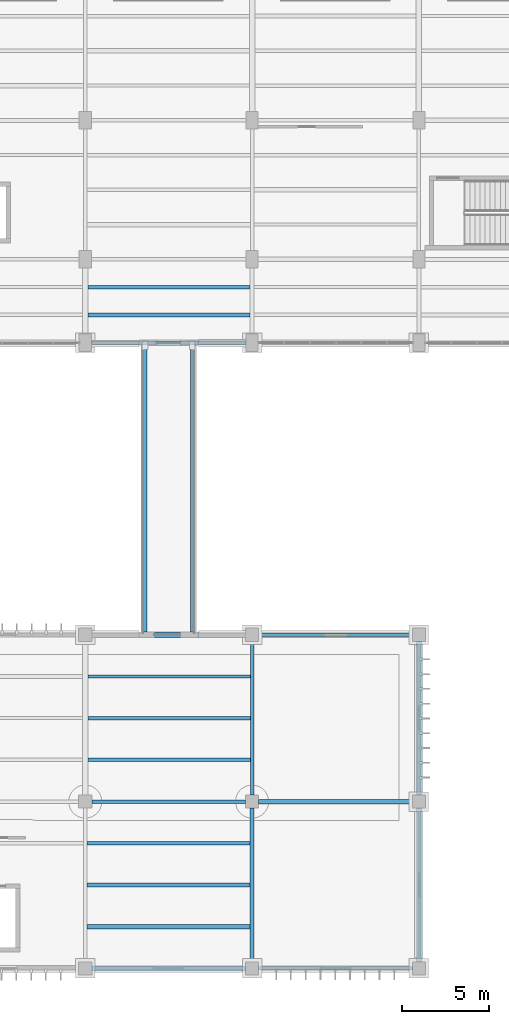
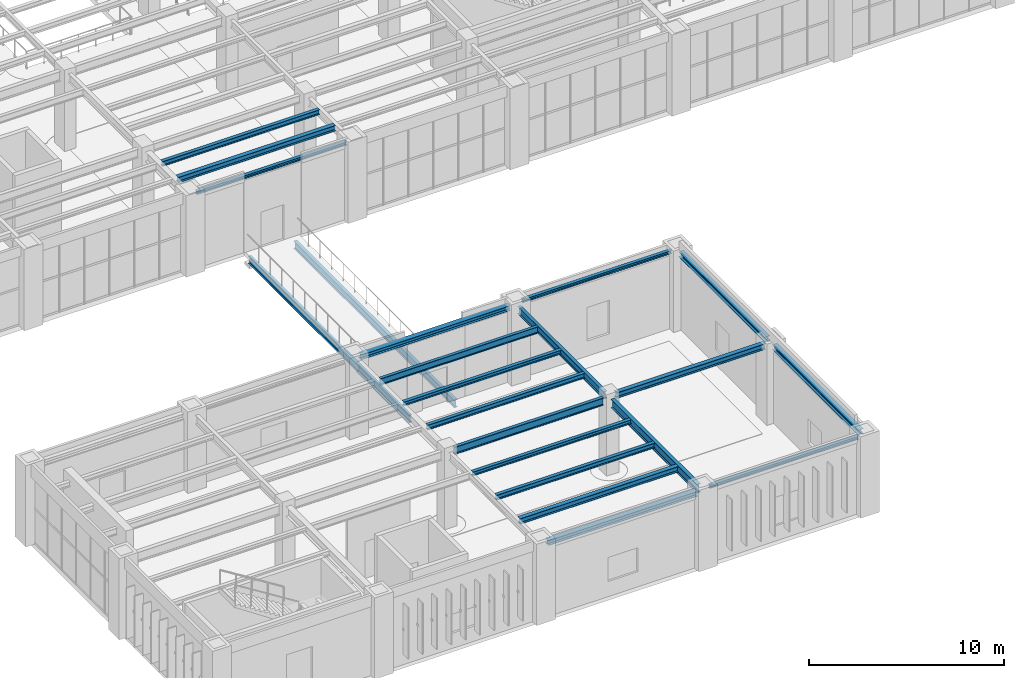
# One storey, part 95 of 174: 21 beams.
"""IFC4 building model written with IfcOpenShell, lengths in metres."""

from ifc_helpers import new_model, si_unit, direction, frame, origin, origin_2d, place, context, subcontext, project, spatial, i_section, extrude, material, material_profile, profile_set, type_object, element, save


model = new_model("IFC4")

# Units and contexts
model_context = context("Model", 3, precision=1e-05, world=origin(), true_north=direction((0.0, 1.0)))
body_context = subcontext(model_context, "Body", "Model", "MODEL_VIEW")
ifc_project = project(units=[si_unit("LENGTHUNIT", "METRE"), si_unit("AREAUNIT", "SQUARE_METRE"), si_unit("VOLUMEUNIT", "CUBIC_METRE"), si_unit("PLANEANGLEUNIT", "RADIAN"), si_unit("MASSUNIT", "GRAM", prefix="KILO")], contexts=[model_context])

# Site, building, storey
site_placement = place(None, origin())
site = spatial("IfcSite", under=ifc_project, at=site_placement, CompositionType="ELEMENT")
building_placement = place(site_placement, origin())
building = spatial("IfcBuilding", under=site, at=building_placement, Name="Mavantir Sound Aquarium", CompositionType="ELEMENT")
storey_placement = place(building_placement, frame((0.0, 0.0, 5.39990234375)))
storey = spatial("IfcBuildingStorey", under=building, at=storey_placement, Name="L01", CompositionType="ELEMENT", Elevation=5.39990234375)

# Beams
ifc_material = material(Name="Structural Steel ASTM A992 Gr50", Category="steel")
ifc_material_profile_1 = material_profile(ifc_material, i_section(OverallWidth=0.202880859375, OverallDepth=0.202880859375, WebThickness=0.007080078125, FlangeThickness=0.010986328125, FilletRadius=0.010009765625, at=origin_2d()), Name="W200X46")
ifc_profile_set_1 = profile_set([ifc_material_profile_1], Name="Structural Steel ASTM A992 Gr50")
beam_type_1 = type_object("IfcBeamType", Name="BM-W200X46-E", PredefinedType="LINTEL", material=ifc_profile_set_1)
beam_1_placement = place(storey_placement, frame((127.550048828125, 36.0, 4.674560546875), z_axis=(1.0, 0.0, 0.0), x_axis=(0.0, 1.0, 0.0)))
element("IfcBeam", 1, at=beam_1_placement, inside=storey, type_object=beam_type_1, Name="L01 primary beam SL-20 1240", PredefinedType="LINTEL", context=body_context, shape_type="SweptSolid", body=[
    extrude(i_section(OverallWidth=0.202880859375, OverallDepth=0.202880859375, WebThickness=0.007080078125, FlangeThickness=0.010986328125, FilletRadius=0.010009765625, at=origin_2d()), origin(), (0.0, 0.0, 1.0), 8.89990234375),
])
for number, where, z_axis, x_axis, name in (
    (2, (137.175048828125, 0.0, 4.714599609375), (1.0, 0.0, 0.0), (0.0, 1.0, 0.0), "L01 primary beam SL-20 1400"),
    (3, (137.175048828125, 19.199951171875, 4.714599609375), (1.0, 0.0, 0.0), (0.0, 1.0, 0.0), "L01 primary beam SL-20 1408"),
):
    element("IfcBeam", number, at=place(storey_placement, frame(where, z_axis=z_axis, x_axis=x_axis)), inside=storey, type_object=beam_type_1, Name=name, PredefinedType="LINTEL", context=body_context, shape_type="SweptSolid", body=[
        extrude(i_section(OverallWidth=0.202880859375, OverallDepth=0.202880859375, WebThickness=0.007080078125, FlangeThickness=0.010986328125, FilletRadius=0.010009765625, at=origin_2d()), origin(), (0.0, 0.0, 1.0), 8.849853515625),
    ])
ifc_material_profile_2 = material_profile(ifc_material, i_section(OverallWidth=0.202880859375, OverallDepth=0.251953125, WebThickness=0.008056640625, FlangeThickness=0.013427734375, FilletRadius=0.011962890625, at=origin_2d()), Name="W250X58")
ifc_profile_set_2 = profile_set([ifc_material_profile_2], Name="Structural Steel ASTM A992 Gr50")
beam_type_2 = type_object("IfcBeamType", Name="BM-W250X58-I", PredefinedType="JOIST", material=ifc_profile_set_2)
beam_2_placement = place(storey_placement, frame((127.297119140625, 7.199951171875, 4.6201171875), z_axis=(1.0, 0.0, 0.0), x_axis=(0.0, 1.0, 0.0)))
element("IfcBeam", 4, at=beam_2_placement, inside=storey, type_object=beam_type_2, Name="L01 secondary floor joist SJ-25 836", PredefinedType="JOIST", context=body_context, shape_type="SweptSolid", body=[
    extrude(i_section(OverallWidth=0.202880859375, OverallDepth=0.251953125, WebThickness=0.008056640625, FlangeThickness=0.013427734375, FilletRadius=0.011962890625, at=origin_2d()), origin(), (0.0, 0.0, 1.0), 9.39697265625),
])
beam_3_placement = place(storey_placement, frame((127.362060546875, 14.39990234375, 4.6201171875), z_axis=(1.0, 0.0, 0.0), x_axis=(0.0, 1.0, 0.0)))
element("IfcBeam", 5, at=beam_3_placement, inside=storey, type_object=beam_type_2, Name="L01 secondary floor joist SJ-25 844", PredefinedType="JOIST", context=body_context, shape_type="SweptSolid", body=[
    extrude(i_section(OverallWidth=0.202880859375, OverallDepth=0.251953125, WebThickness=0.008056640625, FlangeThickness=0.013427734375, FilletRadius=0.011962890625, at=origin_2d()), origin(), (0.0, 0.0, 1.0), 9.3408203125),
])
ifc_material_profile_3 = material_profile(ifc_material, i_section(OverallWidth=0.205078125, OverallDepth=0.31005859375, WebThickness=0.009521484375, FlangeThickness=0.016357421875, FilletRadius=0.012939453125, at=origin_2d()), Name="W310X74")
ifc_profile_set_3 = profile_set([ifc_material_profile_3], Name="Structural Steel ASTM A992 Gr50")
beam_type_3 = type_object("IfcBeamType", Name="BM-W310X74-I", PredefinedType="JOIST", material=ifc_profile_set_3)
beam_4_placement = place(storey_placement, frame((127.362060546875, 39.199951171875, 4.62109375), z_axis=(1.0, 0.0, 0.0), x_axis=(0.0, 1.0, 0.0)))
element("IfcBeam", 6, at=beam_4_placement, inside=storey, type_object=beam_type_3, Name="L01 secondary floor joist SJ-31 727", PredefinedType="JOIST", context=body_context, shape_type="SweptSolid", body=[
    extrude(i_section(OverallWidth=0.205078125, OverallDepth=0.31005859375, WebThickness=0.009521484375, FlangeThickness=0.016357421875, FilletRadius=0.012939453125, at=origin_2d()), origin(), (0.0, 0.0, 1.0), 9.33203125),
])
beam_5_placement = place(storey_placement, frame((127.297119140625, 4.800048828125, 4.591064453125), z_axis=(1.0, 0.0, 0.0), x_axis=(0.0, 1.0, 0.0)))
element("IfcBeam", 7, at=beam_5_placement, inside=storey, type_object=beam_type_3, Name="L01 secondary floor joist SJ-31 835", PredefinedType="JOIST", context=body_context, shape_type="SweptSolid", body=[
    extrude(i_section(OverallWidth=0.205078125, OverallDepth=0.31005859375, WebThickness=0.009521484375, FlangeThickness=0.016357421875, FilletRadius=0.012939453125, at=origin_2d()), origin(), (0.0, 0.0, 1.0), 9.39697265625),
])
beam_6_placement = place(storey_placement, frame((127.362060546875, 12.0, 4.591064453125), z_axis=(1.0, 0.0, 0.0), x_axis=(0.0, 1.0, 0.0)))
element("IfcBeam", 8, at=beam_6_placement, inside=storey, type_object=beam_type_3, Name="L01 secondary floor joist SJ-31 843", PredefinedType="JOIST", context=body_context, shape_type="SweptSolid", body=[
    extrude(i_section(OverallWidth=0.205078125, OverallDepth=0.31005859375, WebThickness=0.009521484375, FlangeThickness=0.016357421875, FilletRadius=0.012939453125, at=origin_2d()), origin(), (0.0, 0.0, 1.0), 9.3408203125),
])
ifc_material_profile_4 = material_profile(ifc_material, i_section(OverallWidth=0.304931640625, OverallDepth=0.30810546875, WebThickness=0.010009765625, FlangeThickness=0.015380859375, FilletRadius=0.014892578125, at=origin_2d()), Name="W310X97")
ifc_profile_set_4 = profile_set([ifc_material_profile_4], Name="Structural Steel ASTM A992 Gr50")
beam_type_4 = type_object("IfcBeamType", Name="BM-W310X97-E", PredefinedType="SPANDREL", material=ifc_profile_set_4)
for number, where, z_axis, x_axis, name in (
    (9, (127.574951171875, 0.0, 4.592041015625), (1.0, 0.0, 0.0), (0.0, 1.0, 0.0), "L01 primary beam SS-31A 1399"),
    (10, (127.574951171875, 19.199951171875, 4.592041015625), (1.0, 0.0, 0.0), (0.0, 1.0, 0.0), "L01 primary beam SS-31A 1407"),
    (11, (146.39990234375, 0.375, 4.662109375), (0.0, 1.0, 0.0), (-1.0, 0.0, 0.0), "L01 primary girder SS-31A 1417"),
):
    element("IfcBeam", number, at=place(storey_placement, frame(where, z_axis=z_axis, x_axis=x_axis)), inside=storey, type_object=beam_type_4, Name=name, PredefinedType="SPANDREL", context=body_context, shape_type="SweptSolid", body=[
        extrude(i_section(OverallWidth=0.304931640625, OverallDepth=0.30810546875, WebThickness=0.010009765625, FlangeThickness=0.015380859375, FilletRadius=0.014892578125, at=origin_2d()), origin(), (0.0, 0.0, 1.0), 8.85009765625),
    ])
beam_7_placement = place(storey_placement, frame((146.39990234375, 9.97509765625, 4.662109375), z_axis=(0.0, 1.0, 0.0), x_axis=(-1.0, 0.0, 0.0)))
element("IfcBeam", 12, at=beam_7_placement, inside=storey, type_object=beam_type_4, Name="L01 primary girder SS-31A 1418", PredefinedType="SPANDREL", context=body_context, shape_type="SweptSolid", body=[
    extrude(i_section(OverallWidth=0.304931640625, OverallDepth=0.30810546875, WebThickness=0.010009765625, FlangeThickness=0.015380859375, FilletRadius=0.014892578125, at=origin_2d()), origin(), (0.0, 0.0, 1.0), 8.849853515625),
])
ifc_material_profile_5 = material_profile(ifc_material, i_section(OverallWidth=0.257080078125, OverallDepth=0.363037109375, WebThickness=0.012939453125, FlangeThickness=0.021728515625, FilletRadius=0.014892578125, at=origin_2d()), Name="W360X122")
ifc_profile_set_5 = profile_set([ifc_material_profile_5], Name="Structural Steel ASTM A992 Gr50")
beam_type_5 = type_object("IfcBeamType", Name="BM-W360X122-I", PredefinedType="BEAM", material=ifc_profile_set_5)
beam_8_placement = place(storey_placement, frame((137.175048828125, 9.60009765625, 4.634521484375), z_axis=(1.0, 0.0, 0.0), x_axis=(0.0, 1.0, 0.0)))
element("IfcBeam", 13, at=beam_8_placement, inside=storey, type_object=beam_type_5, Name="L01 primary beam SB-36A 1404", PredefinedType="BEAM", context=body_context, shape_type="SweptSolid", body=[
    extrude(i_section(OverallWidth=0.257080078125, OverallDepth=0.363037109375, WebThickness=0.012939453125, FlangeThickness=0.021728515625, FilletRadius=0.014892578125, at=origin_2d()), origin(), (0.0, 0.0, 1.0), 8.849853515625),
])
ifc_material_profile_6 = material_profile(ifc_material, i_section(OverallWidth=0.25390625, OverallDepth=0.35302734375, WebThickness=0.009521484375, FlangeThickness=0.016357421875, FilletRadius=0.014892578125, at=origin_2d()), Name="W360X91")
ifc_profile_set_6 = profile_set([ifc_material_profile_6], Name="Structural Steel ASTM A992 Gr50")
beam_type_6 = type_object("IfcBeamType", Name="BM-W360X91-I", PredefinedType="JOIST", material=ifc_profile_set_6)
beam_9_placement = place(storey_placement, frame((127.362060546875, 37.60009765625, 4.599609375), z_axis=(1.0, 0.0, 0.0), x_axis=(0.0, 1.0, 0.0)))
element("IfcBeam", 14, at=beam_9_placement, inside=storey, type_object=beam_type_6, Name="L01 secondary floor joist SJ-36 726", PredefinedType="JOIST", context=body_context, shape_type="SweptSolid", body=[
    extrude(i_section(OverallWidth=0.25390625, OverallDepth=0.35302734375, WebThickness=0.009521484375, FlangeThickness=0.016357421875, FilletRadius=0.014892578125, at=origin_2d()), origin(), (0.0, 0.0, 1.0), 9.33203125),
])
beam_10_placement = place(storey_placement, frame((127.297119140625, 2.39990234375, 4.569580078125), z_axis=(1.0, 0.0, 0.0), x_axis=(0.0, 1.0, 0.0)))
element("IfcBeam", 15, at=beam_10_placement, inside=storey, type_object=beam_type_6, Name="L01 secondary floor joist SJ-36 834", PredefinedType="JOIST", context=body_context, shape_type="SweptSolid", body=[
    extrude(i_section(OverallWidth=0.25390625, OverallDepth=0.35302734375, WebThickness=0.009521484375, FlangeThickness=0.016357421875, FilletRadius=0.014892578125, at=origin_2d()), origin(), (0.0, 0.0, 1.0), 9.39697265625),
])
ifc_material_profile_7 = material_profile(ifc_material, i_section(OverallWidth=0.180908203125, OverallDepth=0.4169921875, WebThickness=0.010986328125, FlangeThickness=0.018310546875, FilletRadius=0.014892578125, at=origin_2d()), Name="W410X85")
ifc_profile_set_7 = profile_set([ifc_material_profile_7], Name="Structural Steel ASTM A992 Gr50")
beam_type_7 = type_object("IfcBeamType", Name="BM-W410X85-I", PredefinedType="JOIST", material=ifc_profile_set_7)
beam_11_placement = place(storey_placement, frame((127.362060546875, 16.800048828125, 4.53759765625), z_axis=(1.0, 0.0, 0.0), x_axis=(0.0, 1.0, 0.0)))
element("IfcBeam", 16, at=beam_11_placement, inside=storey, type_object=beam_type_7, Name="L01 secondary floor joist SJ-41 845", PredefinedType="JOIST", context=body_context, shape_type="SweptSolid", body=[
    extrude(i_section(OverallWidth=0.180908203125, OverallDepth=0.4169921875, WebThickness=0.010986328125, FlangeThickness=0.018310546875, FilletRadius=0.014892578125, at=origin_2d()), origin(), (0.0, 0.0, 1.0), 9.3408203125),
])
ifc_material_profile_8 = material_profile(ifc_material, i_section(OverallWidth=0.194091796875, OverallDepth=0.468994140625, WebThickness=0.0126953125, FlangeThickness=0.0205078125, FilletRadius=0.01611328125, at=origin_2d()), Name="W460X106")
ifc_profile_set_8 = profile_set([ifc_material_profile_8], Name="Structural Steel ASTM A992 Gr50")
beam_type_8 = type_object("IfcBeamType", Name="BM-W460X106-E", PredefinedType="BEAM", material=ifc_profile_set_8)
for number, where, z_axis, x_axis, name in (
    (17, (130.64990234375, 19.35009765625, -0.514404296875), (0.0, 1.0, 0.0), (-1.0, 0.0, 0.0), "Slide-bearing link bridge girder 4.1"),
    (18, (133.35009765625, 19.35009765625, -0.514404296875), (0.0, 1.0, 0.0), (-1.0, 0.0, 0.0), "Slide-bearing link bridge girder 4.2"),
):
    element("IfcBeam", number, at=place(storey_placement, frame(where, z_axis=z_axis, x_axis=x_axis)), inside=storey, type_object=beam_type_8, Name=name, PredefinedType="BEAM", context=body_context, shape_type="SweptSolid", body=[
        extrude(i_section(OverallWidth=0.194091796875, OverallDepth=0.468994140625, WebThickness=0.0126953125, FlangeThickness=0.0205078125, FilletRadius=0.01611328125, at=origin_2d()), origin(), (0.0, 0.0, 1.0), 16.5),
    ])
ifc_material_profile_9 = material_profile(ifc_material, i_section(OverallWidth=0.194091796875, OverallDepth=0.468994140625, WebThickness=0.0126953125, FlangeThickness=0.0205078125, FilletRadius=0.01611328125, at=origin_2d()), Name="W460X106")
ifc_profile_set_9 = profile_set([ifc_material_profile_9], Name="Structural Steel ASTM A992 Gr50")
beam_type_9 = type_object("IfcBeamType", Name="BM-W460X106-I", PredefinedType="BEAM", material=ifc_profile_set_9)
beam_12_placement = place(storey_placement, frame((127.574951171875, 9.60009765625, 4.51171875), z_axis=(1.0, 0.0, 0.0), x_axis=(0.0, 1.0, 0.0)))
element("IfcBeam", 19, at=beam_12_placement, inside=storey, type_object=beam_type_9, Name="L01 primary beam SB-46 1403", PredefinedType="BEAM", context=body_context, shape_type="SweptSolid", body=[
    extrude(i_section(OverallWidth=0.194091796875, OverallDepth=0.468994140625, WebThickness=0.0126953125, FlangeThickness=0.0205078125, FilletRadius=0.01611328125, at=origin_2d()), origin(), (0.0, 0.0, 1.0), 8.85009765625),
])
beam_13_placement = place(storey_placement, frame((136.800048828125, 9.97509765625, 4.51171875), z_axis=(0.0, 1.0, 0.0), x_axis=(-1.0, 0.0, 0.0)))
element("IfcBeam", 20, at=beam_13_placement, inside=storey, type_object=beam_type_9, Name="L01 primary girder SB-46 1416", PredefinedType="BEAM", context=body_context, shape_type="SweptSolid", body=[
    extrude(i_section(OverallWidth=0.194091796875, OverallDepth=0.468994140625, WebThickness=0.0126953125, FlangeThickness=0.0205078125, FilletRadius=0.01611328125, at=origin_2d()), origin(), (0.0, 0.0, 1.0), 8.849853515625),
])
ifc_material_profile_10 = material_profile(ifc_material, i_section(OverallWidth=0.2119140625, OverallDepth=0.5439453125, WebThickness=0.01318359375, FlangeThickness=0.021240234375, FilletRadius=0.01806640625, at=origin_2d()), Name="W530X123")
ifc_profile_set_10 = profile_set([ifc_material_profile_10], Name="Structural Steel ASTM A992 Gr50")
beam_type_10 = type_object("IfcBeamType", Name="BM-W530X123-I", PredefinedType="BEAM", material=ifc_profile_set_10)
beam_14_placement = place(storey_placement, frame((136.800048828125, 0.375, 4.47412109375), z_axis=(0.0, 1.0, 0.0), x_axis=(-1.0, 0.0, 0.0)))
element("IfcBeam", 21, at=beam_14_placement, inside=storey, type_object=beam_type_10, Name="L01 primary girder SB-53 1415", PredefinedType="BEAM", context=body_context, shape_type="SweptSolid", body=[
    extrude(i_section(OverallWidth=0.2119140625, OverallDepth=0.5439453125, WebThickness=0.01318359375, FlangeThickness=0.021240234375, FilletRadius=0.01806640625, at=origin_2d()), origin(), (0.0, 0.0, 1.0), 8.85009765625),
])

save(model, "model.ifc")
